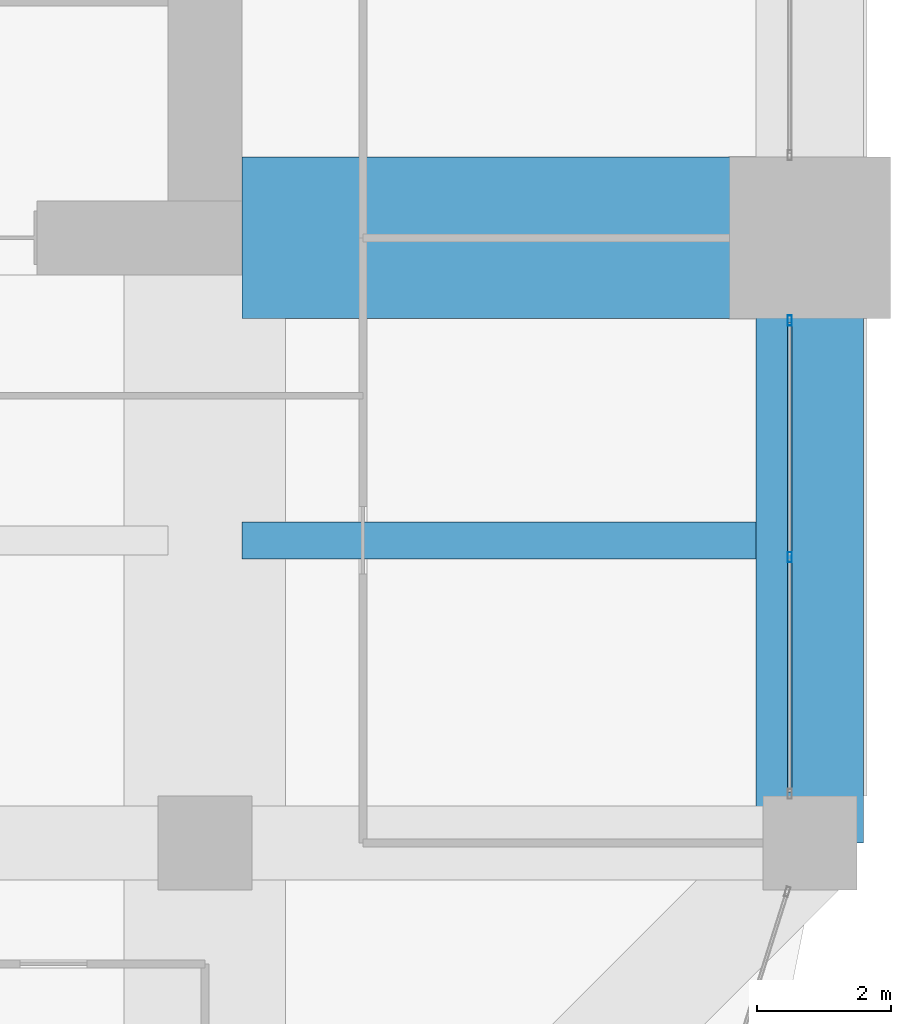
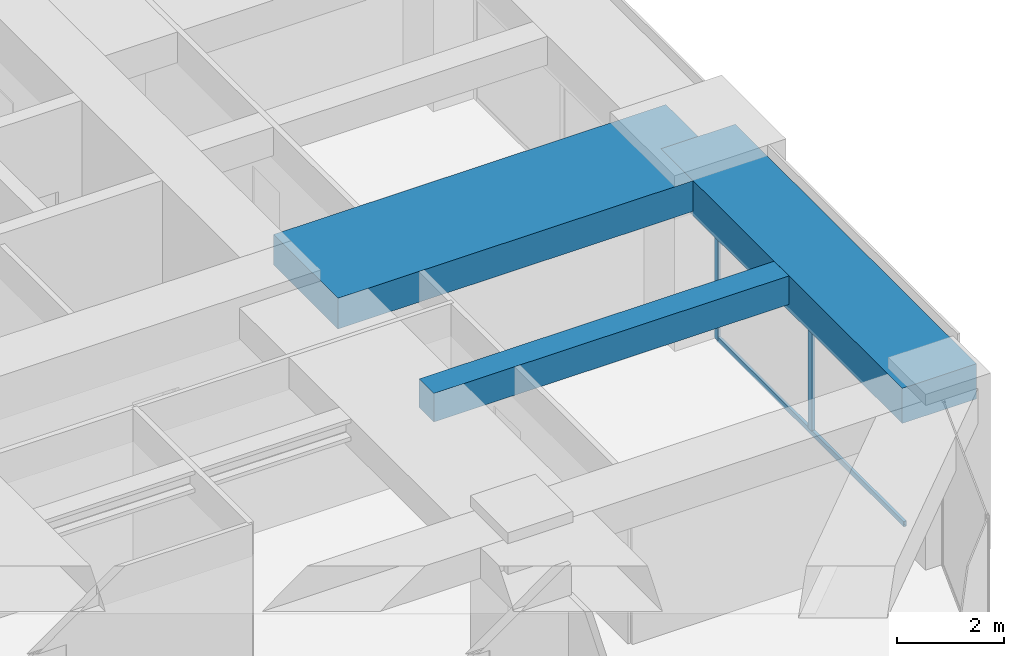
# One storey, part 17 of 35: 3 beams, 3 members, 1 element without a shape of its own.
"""IFC4 building model written with IfcOpenShell, lengths in metres."""

import ifcopenshell
import ifcopenshell.guid

model = None  # the IFC model being written
_history = None  # IfcOwnerHistory: only IFC2X3 demands one
_inside = {}  # id of a spatial element -> (the spatial element, [elements in it])
_under = {}  # id of a project, library or spatial element -> (it, [spatial elements below it])
_declared = {}  # id of a project -> (the project, [libraries it declares])
_typed = {}  # id of a type object -> (the type object, [elements of that type])
_made_of = {}  # id of a material, layer set ... -> (it, [elements and type objects made of it])


def new_model(schema):
    """Start an empty IFC model of exactly this schema.

    Asked for "IFC4X3", IfcOpenShell would pick the latest addendum, in which some entities
    have other attributes; the version numbers below select the first issue.
    IFC2X3 requires an IfcOwnerHistory on every rooted entity: one is made here for all.
    """
    global model, _history
    if schema == "IFC4X3":
        model = ifcopenshell.file(schema_version=(4, 3, 0, 0))
    else:
        model = ifcopenshell.file(schema=schema)
    _inside.clear()
    _under.clear()
    _declared.clear()
    _typed.clear()
    _made_of.clear()
    _history = None
    if model.schema == "IFC2X3":
        org = make("IfcOrganization", Name="unknown")
        user = make(
            "IfcPersonAndOrganization",
            ThePerson=make("IfcPerson", FamilyName="unknown"),
            TheOrganization=org,
        )
        app = make(
            "IfcApplication",
            ApplicationDeveloper=org,
            Version="unknown",
            ApplicationFullName="unknown",
            ApplicationIdentifier="unknown",
        )
        _history = make(
            "IfcOwnerHistory",
            OwningUser=user,
            OwningApplication=app,
            ChangeAction="ADDED",
            CreationDate=0,
        )
    return model


def make(cls, **values):
    """One entity of the class cls with the attributes given. An attribute that is None is left unset."""
    return model.create_entity(
        cls, **{name: value for name, value in values.items() if value is not None}
    )


def rooted(cls, **values):
    """An entity with a GlobalId (a new one), such as an element, a storey or a relation."""
    return make(cls, GlobalId=ifcopenshell.guid.new(), OwnerHistory=_history, **values)


def si_unit(unit_type, name, prefix=None):
    """IfcSIUnit, for example si_unit("LENGTHUNIT", "METRE", prefix="MILLI")."""
    return make("IfcSIUnit", UnitType=unit_type, Prefix=prefix, Name=name)


def assignment(units):
    """IfcUnitAssignment: the units of a project."""
    return None if units is None else make("IfcUnitAssignment", Units=units)


def point(xyz):
    """IfcCartesianPoint."""
    return None if xyz is None else make("IfcCartesianPoint", Coordinates=xyz)


def direction(xyz):
    """IfcDirection."""
    return None if xyz is None else make("IfcDirection", DirectionRatios=xyz)


def frame(location, z_axis=None, x_axis=None):
    """IfcAxis2Placement3D, a coordinate frame: its origin and axes. An axis left out is left unset."""
    return make(
        "IfcAxis2Placement3D",
        Location=point(location),
        Axis=direction(z_axis),
        RefDirection=direction(x_axis),
    )


def frame_2d(location, x_axis=None):
    """IfcAxis2Placement2D, a coordinate frame in the plane: its origin and x axis."""
    return make(
        "IfcAxis2Placement2D", Location=point(location), RefDirection=direction(x_axis)
    )


def origin():
    """The frame at (0, 0, 0) with its axes left unset."""
    return frame((0.0, 0.0, 0.0))


def origin_2d():
    """The frame at (0, 0) in the plane with its x axis left unset."""
    return frame_2d((0.0, 0.0))


def place(relative_to, where):
    """IfcLocalPlacement: puts the frame where relative to a parent placement (None: the world)."""
    return make(
        "IfcLocalPlacement", PlacementRelTo=relative_to, RelativePlacement=where
    )


def context(
    kind, dimensions, precision=None, world=None, true_north=None, identifier=None
):
    """IfcGeometricRepresentationContext, for example the 3D "Model" context."""
    return make(
        "IfcGeometricRepresentationContext",
        ContextIdentifier=identifier,
        ContextType=kind,
        CoordinateSpaceDimension=dimensions,
        Precision=precision,
        WorldCoordinateSystem=world,
        TrueNorth=true_north,
    )


def subcontext(parent, identifier, kind, view, scale=None):
    """IfcGeometricRepresentationSubContext, for example "Body" below "Model"."""
    return make(
        "IfcGeometricRepresentationSubContext",
        ContextIdentifier=identifier,
        ContextType=kind,
        ParentContext=parent,
        TargetScale=scale,
        TargetView=view,
    )


def project(units=None, contexts=None):
    """IfcProject with its units and contexts."""
    return rooted(
        "IfcProject",
        Name="project",
        RepresentationContexts=contexts,
        UnitsInContext=assignment(units),
    )


def spatial(cls, under=None, at=None, **own):
    """A site, building, storey or space (cls), placed at a placement, below another one or the project."""
    s = rooted(cls, ObjectPlacement=at, **own)
    if under is not None:
        _under.setdefault(under.id(), (under, []))[1].append(s)
    return s


def profile(cls, at=None, kind="AREA", **sizes):
    """A parametric profile (cls). Its sizes go by their IFC names, for example OverallWidth=200.0."""
    return make(cls, ProfileType=kind, Position=at, **sizes)


def rectangle(**sizes):
    """IfcRectangleProfileDef."""
    return profile("IfcRectangleProfileDef", **sizes)


def hollow_rectangle(**sizes):
    """IfcRectangleHollowProfileDef."""
    return profile("IfcRectangleHollowProfileDef", **sizes)


def extrude(swept, where, along, depth):
    """IfcExtrudedAreaSolid: the profile swept, set in the frame where, extruded along a direction by depth."""
    return make(
        "IfcExtrudedAreaSolid",
        SweptArea=swept,
        Position=where,
        ExtrudedDirection=direction(along),
        Depth=depth,
    )


def shape(context_of_items, identifier, shape_type, items):
    """IfcShapeRepresentation: the items that make up one representation, for example the "Body"."""
    return make(
        "IfcShapeRepresentation",
        ContextOfItems=context_of_items,
        RepresentationIdentifier=identifier,
        RepresentationType=shape_type,
        Items=items,
    )


def material(Name=None, Category=None):
    """IfcMaterial."""
    return make("IfcMaterial", Name=Name, Category=Category)


def material_profile(
    of_material, cross_section, Name=None, Category=None, Priority=None
):
    """IfcMaterialProfile: a cross section and its material."""
    return make(
        "IfcMaterialProfile",
        Name=Name,
        Material=of_material,
        Profile=cross_section,
        Priority=Priority,
        Category=Category,
    )


def profile_set(profiles, Name=None, composite=None):
    """IfcMaterialProfileSet."""
    return make(
        "IfcMaterialProfileSet",
        Name=Name,
        MaterialProfiles=profiles,
        CompositeProfile=composite,
    )


def made_of(thing, what):
    """Note that an element or type object is made of a material, layer set ...; save() writes the relation."""
    if what is not None:
        _made_of.setdefault(what.id(), (what, []))[1].append(thing)
    return thing


def type_object(cls, material=None, **own):
    """A type object (cls), such as IfcWallType, which elements share."""
    return made_of(rooted(cls, **own), material)


def element(
    cls,
    number,
    at=None,
    inside=None,
    cuts=None,
    type_object=None,
    material=None,
    context=None,
    identifier="Body",
    shape_type=None,
    held_by="IfcProductDefinitionShape",
    body=None,
    shapes=None,
    **own,
):
    """One element of the class cls, such as IfcWall. Its Tag is "e" and its number.

    at: its placement. inside: the storey or other place that contains it. cuts: it is an
    opening in that element (IfcRelVoidsElement). A single representation is given by context,
    identifier, shape_type and body (its items); several are given by shapes. held_by: the class
    of the entity that holds the representations. save() writes the other relations.
    """
    e = rooted(cls, Tag="e%d" % number, ObjectPlacement=at, **own)
    if body is not None:
        shapes = [shape(context, identifier, shape_type, body)]
    if shapes is not None:
        e.Representation = make(held_by, Representations=shapes)
    if inside is not None:
        _inside.setdefault(inside.id(), (inside, []))[1].append(e)
    if cuts is not None:
        rooted(
            "IfcRelVoidsElement", RelatingBuildingElement=cuts, RelatedOpeningElement=e
        )
    if type_object is not None:
        _typed.setdefault(type_object.id(), (type_object, []))[1].append(e)
    return made_of(e, material)


def aggregate(whole, parts):
    """IfcRelAggregates: a whole, such as a stair, and the parts it consists of."""
    return rooted("IfcRelAggregates", RelatingObject=whole, RelatedObjects=parts)


def save(model, path):
    """Write the relations noted so far, then the file.

    IfcRelAggregates (storeys below a building ...), IfcRelContainedInSpatialStructure (elements
    in a storey), IfcRelDefinesByType, IfcRelAssociatesMaterial and IfcRelDeclares: one each for
    every whole, place, type object, material and project.
    """
    for whole, parts in _under.values():
        aggregate(whole, parts)
    for where, things in _inside.values():
        rooted(
            "IfcRelContainedInSpatialStructure",
            RelatedElements=things,
            RelatingStructure=where,
        )
    for kind, things in _typed.values():
        rooted("IfcRelDefinesByType", RelatedObjects=things, RelatingType=kind)
    for what, things in _made_of.values():
        rooted("IfcRelAssociatesMaterial", RelatedObjects=things, RelatingMaterial=what)
    for by, libraries in _declared.values():
        rooted("IfcRelDeclares", RelatingContext=by, RelatedDefinitions=libraries)
    model.write(path)


model = new_model("IFC4")

# Units and contexts
model_context = context("Model", 3, precision=1e-05, world=origin(), true_north=direction((0.0, 1.0)))
body_context = subcontext(model_context, "Body", "Model", "MODEL_VIEW")
ifc_project = project(units=[si_unit("LENGTHUNIT", "METRE"), si_unit("AREAUNIT", "SQUARE_METRE"), si_unit("VOLUMEUNIT", "CUBIC_METRE"), si_unit("PLANEANGLEUNIT", "RADIAN"), si_unit("MASSUNIT", "GRAM", prefix="KILO")], contexts=[model_context])

# Site, building, storey
site_placement = place(None, origin())
site = spatial("IfcSite", under=ifc_project, at=site_placement, CompositionType="ELEMENT")
building_placement = place(site_placement, origin())
building = spatial("IfcBuilding", under=site, at=building_placement, Name="Zorevar Civic Tower", CompositionType="ELEMENT")
storey_placement = place(building_placement, frame((0.0, 0.0, 222.199951171875)))
storey = spatial("IfcBuildingStorey", under=building, at=storey_placement, Name="L54", CompositionType="ELEMENT", Elevation=222.199951171875)

# Beams
ifc_material_1 = material(Name="Concrete C50/60", Category="concrete")
ifc_material_profile_1 = material_profile(ifc_material_1, rectangle(XDim=2.39990234375, YDim=0.699951171875, at=origin_2d()), Name="RC 2400x700")
ifc_profile_set_1 = profile_set([ifc_material_profile_1], Name="Concrete C50/60")
beam_type_1 = type_object("IfcBeamType", Name="Beam RC 2400x700", PredefinedType="BEAM", material=ifc_profile_set_1)
beam_1_placement = place(storey_placement, frame((45.550048828125, 18.0, 3.400146484375), z_axis=(1.0, 0.0, 0.0), x_axis=(0.0, 1.0, 0.0)))
element("IfcBeam", 1, at=beam_1_placement, inside=storey, type_object=beam_type_1, Name="Girder L55", PredefinedType="BEAM", context=body_context, shape_type="SweptSolid", body=[
    extrude(rectangle(XDim=2.39990234375, YDim=0.699951171875, at=origin_2d()), origin(), (0.0, 0.0, 1.0), 8.449951171875),
])
ifc_material_2 = material(Name="Concrete C50/60", Category="concrete")
ifc_material_profile_2 = material_profile(ifc_material_2, rectangle(XDim=0.550048828125, YDim=0.64990234375, at=origin_2d()), Name="RC 550x650")
ifc_profile_set_2 = profile_set([ifc_material_profile_2], Name="Concrete C50/60")
beam_type_2 = type_object("IfcBeamType", Name="Beam RC 550x650", PredefinedType="BEAM", material=ifc_profile_set_2)
beam_2_placement = place(storey_placement, frame((45.550048828125, 13.5, 3.425048828125), z_axis=(1.0, 0.0, 0.0), x_axis=(0.0, 1.0, 0.0)))
element("IfcBeam", 2, at=beam_2_placement, inside=storey, type_object=beam_type_2, Name="Secondary beam L55", PredefinedType="BEAM", context=body_context, shape_type="SweptSolid", body=[
    extrude(rectangle(XDim=0.550048828125, YDim=0.64990234375, at=origin_2d()), origin(), (0.0, 0.0, 1.0), 7.64990234375),
])

# Curtain wall, members
ifc_material_3 = material(Name="Dark grey solar-control glass in black aluminium frame", Category="aluminium")
curtain_wall_type = type_object("IfcCurtainWallType", Name="Curtain wall CW4 high zone", PredefinedType="NOTDEFINED", material=ifc_material_3)
curtain_wall_placement = place(storey_placement, origin())
curtain_wall = element("IfcCurtainWall", 3, at=curtain_wall_placement, inside=storey, type_object=curtain_wall_type, Name="CW4 L54", PredefinedType="NOTDEFINED")
ifc_material_4 = material(Name="Aluminium, black anodised", Category="aluminium")
ifc_material_profile_3 = material_profile(ifc_material_4, hollow_rectangle(XDim=0.06005859375, YDim=0.14990234375, WallThickness=0.00390625, at=origin_2d()), Name="AL 150x60x4")
ifc_profile_set_3 = profile_set([ifc_material_profile_3], Name="Aluminium, black anodised")
member_type_1 = type_object("IfcMemberType", Name="CW4 mullion AL 150x60x4", PredefinedType="MULLION", material=ifc_profile_set_3)
member_1_placement = place(storey_placement, frame((53.699951171875, 13.25, 0.06005859375), z_axis=(0.0, 0.0, 1.0), x_axis=(-1.0, 0.0, 0.0)))
member_1 = element("IfcMember", 4, at=member_1_placement, type_object=member_type_1, Name="CW4 mullion 2", PredefinedType="MULLION", context=body_context, shape_type="SweptSolid", body=[
    extrude(hollow_rectangle(XDim=0.06005859375, YDim=0.14990234375, WallThickness=0.00390625, at=origin_2d()), origin(), (0.0, 0.0, 1.0), 2.889892578125),
])
member_2_placement = place(storey_placement, frame((53.699951171875, 16.77001953125, 0.0), z_axis=(0.0, 0.0, 1.0), x_axis=(-1.0, 0.0, 0.0)))
member_2 = element("IfcMember", 5, at=member_2_placement, type_object=member_type_1, Name="CW4 mullion 3", PredefinedType="MULLION", context=body_context, shape_type="SweptSolid", body=[
    extrude(hollow_rectangle(XDim=0.06005859375, YDim=0.14990234375, WallThickness=0.00390625, at=origin_2d()), origin(), (0.0, 0.0, 1.0), 2.949951171875),
])
ifc_material_5 = material(Name="Aluminium, black anodised", Category="aluminium")
ifc_material_profile_4 = material_profile(ifc_material_5, hollow_rectangle(XDim=0.06005859375, YDim=0.1201171875, WallThickness=0.0029296875, at=origin_2d()), Name="AL 120x60x3")
ifc_profile_set_4 = profile_set([ifc_material_profile_4], Name="Aluminium, black anodised")
member_type_2 = type_object("IfcMemberType", Name="CW4 transom AL 120x60x3", PredefinedType="USERDEFINED", material=ifc_profile_set_4)
member_3_placement = place(storey_placement, frame((53.699951171875, 9.760009765625, 0.030029296875), z_axis=(0.0, 1.0, 0.0), x_axis=(-1.0, 0.0, 0.0)))
member_3 = element("IfcMember", 6, at=member_3_placement, type_object=member_type_2, Name="CW4 sill transom", ObjectType="TRANSOM", PredefinedType="USERDEFINED", context=body_context, shape_type="SweptSolid", body=[
    extrude(hollow_rectangle(XDim=0.06005859375, YDim=0.1201171875, WallThickness=0.0029296875, at=origin_2d()), origin(), (0.0, 0.0, 1.0), 6.97998046875),
])
aggregate(curtain_wall, [member_1, member_2, member_3])

# Beam
ifc_material_6 = material(Name="Concrete C50/60", Category="concrete")
ifc_material_profile_5 = material_profile(ifc_material_6, rectangle(XDim=1.60009765625, YDim=0.800048828125, at=origin_2d()), Name="RC 1600x800")
ifc_profile_set_5 = profile_set([ifc_material_profile_5], Name="Concrete C50/60")
beam_type_3 = type_object("IfcBeamType", Name="Edge beam RC 1600x800", PredefinedType="SPANDREL", material=ifc_profile_set_5)
beam_3_placement = place(storey_placement, frame((54.0, 9.0, 3.35009765625), z_axis=(0.0, 1.0, 0.0), x_axis=(-1.0, 0.0, 0.0)))
element("IfcBeam", 7, at=beam_3_placement, inside=storey, type_object=beam_type_3, Name="Edge beam L55", PredefinedType="SPANDREL", context=body_context, shape_type="SweptSolid", body=[
    extrude(rectangle(XDim=1.60009765625, YDim=0.800048828125, at=origin_2d()), origin(), (0.0, 0.0, 1.0), 9.0),
])

save(model, "model.ifc")
